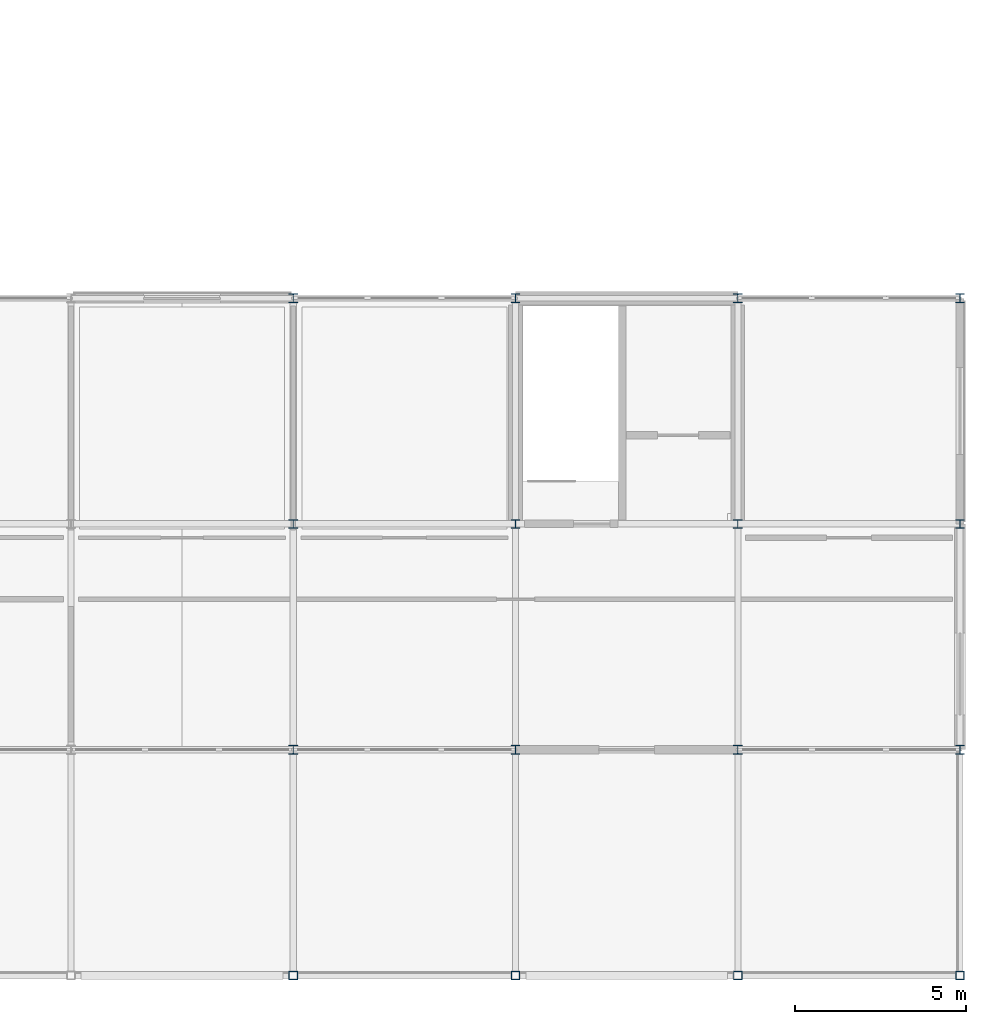
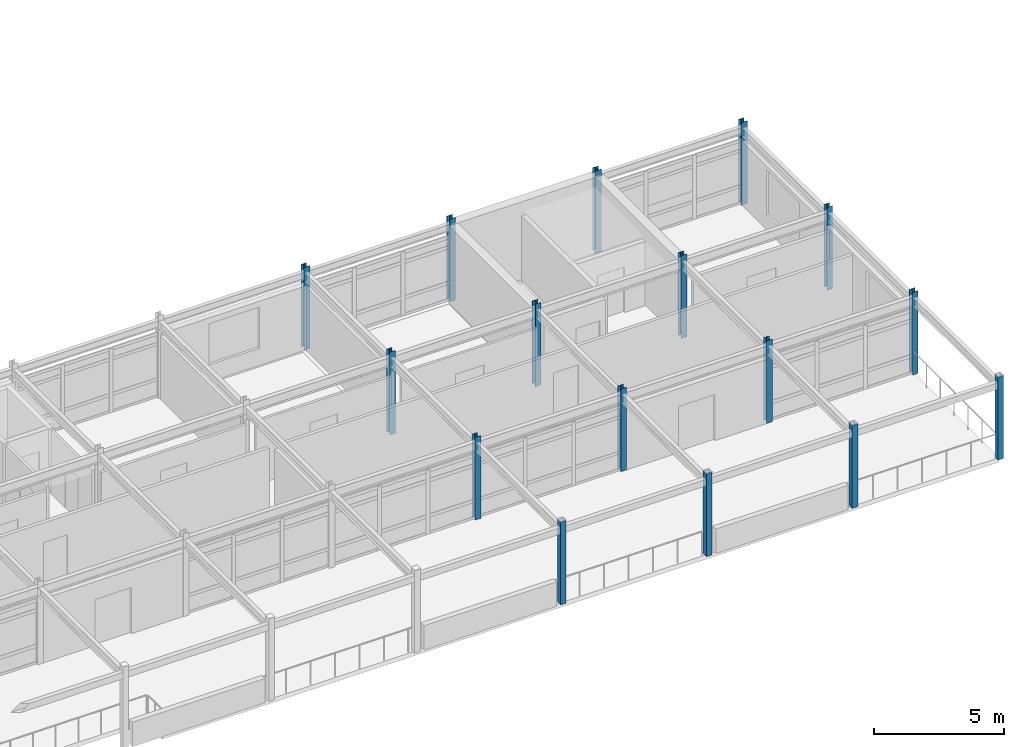
# One storey, part 3 of 20: 16 columns.
"""IFC4 building model written with IfcOpenShell, lengths in metres."""

from ifc_helpers import new_model, si_unit, direction, frame, origin, origin_2d, place, context, subcontext, project, spatial, hollow_rectangle, i_section, extrude, material, material_profile, profile_set, type_object, element, save


model = new_model("IFC4")

# Units and contexts
model_context = context("Model", 3, precision=1e-05, world=origin(), true_north=direction((0.0, 1.0)))
body_context = subcontext(model_context, "Body", "Model", "MODEL_VIEW")
ifc_project = project(units=[si_unit("LENGTHUNIT", "METRE"), si_unit("AREAUNIT", "SQUARE_METRE"), si_unit("VOLUMEUNIT", "CUBIC_METRE"), si_unit("PLANEANGLEUNIT", "RADIAN"), si_unit("MASSUNIT", "GRAM", prefix="KILO")], contexts=[model_context])

# Site, building, storey
site_placement = place(None, origin())
site = spatial("IfcSite", under=ifc_project, at=site_placement, CompositionType="ELEMENT")
building_placement = place(site_placement, origin())
building = spatial("IfcBuilding", under=site, at=building_placement, Name="Trelmorton Wharf Fire Station", CompositionType="ELEMENT")
storey_placement = place(building_placement, frame((0.0, 0.0, 21.300048828125)))
storey = spatial("IfcBuildingStorey", under=building, at=storey_placement, Name="L05", CompositionType="ELEMENT", Elevation=21.300048828125)

# Columns
ifc_material_1 = material(Name="Steel Grade 350", Category="steel")
ifc_material_profile_1 = material_profile(ifc_material_1, i_section(OverallWidth=0.25390625, OverallDepth=0.25390625, WebThickness=0.008544921875, FlangeThickness=0.01416015625, FilletRadius=0.0126953125, at=origin_2d()), Name="250UC72.9")
ifc_profile_set_1 = profile_set([ifc_material_profile_1], Name="Steel Grade 350")
column_type_1 = type_object("IfcColumnType", Name="COL_250UC73", PredefinedType="COLUMN", material=ifc_profile_set_1)
for number, where, z_axis, x_axis, name in (
    (1, (136.5, 14.39990234375, 0.0), (0.0, 0.0, 1.0), (1.0, 0.0, 0.0), "COL-L05-0779"),
    (2, (136.5, 21.0, 0.0), (0.0, 0.0, 1.0), (1.0, 0.0, 0.0), "COL-L05-0780"),
    (3, (136.5, 27.60009765625, 0.0), (0.0, 0.0, 1.0), (1.0, 0.0, 0.0), "COL-L05-0781"),
    (4, (143.0, 14.39990234375, 0.0), (0.0, 0.0, 1.0), (1.0, 0.0, 0.0), "COL-L05-0783"),
    (5, (143.0, 21.0, 0.0), (0.0, 0.0, 1.0), (1.0, 0.0, 0.0), "COL-L05-0784"),
    (6, (143.0, 27.60009765625, 0.0), (0.0, 0.0, 1.0), (1.0, 0.0, 0.0), "COL-L05-0785"),
    (7, (149.5, 14.39990234375, 0.0), (0.0, 0.0, 1.0), (1.0, 0.0, 0.0), "COL-L05-0787"),
    (8, (149.5, 21.0, 0.0), (0.0, 0.0, 1.0), (1.0, 0.0, 0.0), "COL-L05-0788"),
    (9, (149.5, 27.60009765625, 0.0), (0.0, 0.0, 1.0), (1.0, 0.0, 0.0), "COL-L05-0789"),
    (10, (156.0, 14.39990234375, 0.0), (0.0, 0.0, 1.0), (1.0, 0.0, 0.0), "COL-L05-0791"),
    (11, (156.0, 21.0, 0.0), (0.0, 0.0, 1.0), (1.0, 0.0, 0.0), "COL-L05-0792"),
    (12, (156.0, 27.60009765625, 0.0), (0.0, 0.0, 1.0), (1.0, 0.0, 0.0), "COL-L05-0793"),
):
    element("IfcColumn", number, at=place(storey_placement, frame(where, z_axis=z_axis, x_axis=x_axis)), inside=storey, type_object=column_type_1, Name=name, PredefinedType="COLUMN", context=body_context, shape_type="SweptSolid", body=[
        extrude(i_section(OverallWidth=0.25390625, OverallDepth=0.25390625, WebThickness=0.008544921875, FlangeThickness=0.01416015625, FilletRadius=0.0126953125, at=origin_2d()), origin(), (0.0, 0.0, 1.0), 3.89990234375),
    ])
ifc_material_2 = material(Name="Signal-red architectural steel Grade 350", Category="steel")
ifc_material_profile_2 = material_profile(ifc_material_2, hollow_rectangle(XDim=0.25, YDim=0.25, WallThickness=0.012451171875, at=origin_2d()), Name="250x250x12.5SHS")
ifc_profile_set_2 = profile_set([ifc_material_profile_2], Name="Signal-red architectural steel Grade 350")
column_type_2 = type_object("IfcColumnType", Name="COL_RED_250SHS", PredefinedType="COLUMN", material=ifc_profile_set_2)
for number, where, z_axis, x_axis, name in (
    (13, (136.5, 7.800048828125, 0.0), (0.0, 0.0, 1.0), (1.0, 0.0, 0.0), "COL-L05-0778"),
    (14, (143.0, 7.800048828125, 0.0), (0.0, 0.0, 1.0), (1.0, 0.0, 0.0), "COL-L05-0782"),
    (15, (149.5, 7.800048828125, 0.0), (0.0, 0.0, 1.0), (1.0, 0.0, 0.0), "COL-L05-0786"),
    (16, (156.0, 7.800048828125, 0.0), (0.0, 0.0, 1.0), (1.0, 0.0, 0.0), "COL-L05-0790"),
):
    element("IfcColumn", number, at=place(storey_placement, frame(where, z_axis=z_axis, x_axis=x_axis)), inside=storey, type_object=column_type_2, Name=name, PredefinedType="COLUMN", context=body_context, shape_type="SweptSolid", body=[
        extrude(hollow_rectangle(XDim=0.25, YDim=0.25, WallThickness=0.012451171875, at=origin_2d()), origin(), (0.0, 0.0, 1.0), 3.89990234375),
    ])

save(model, "model.ifc")
